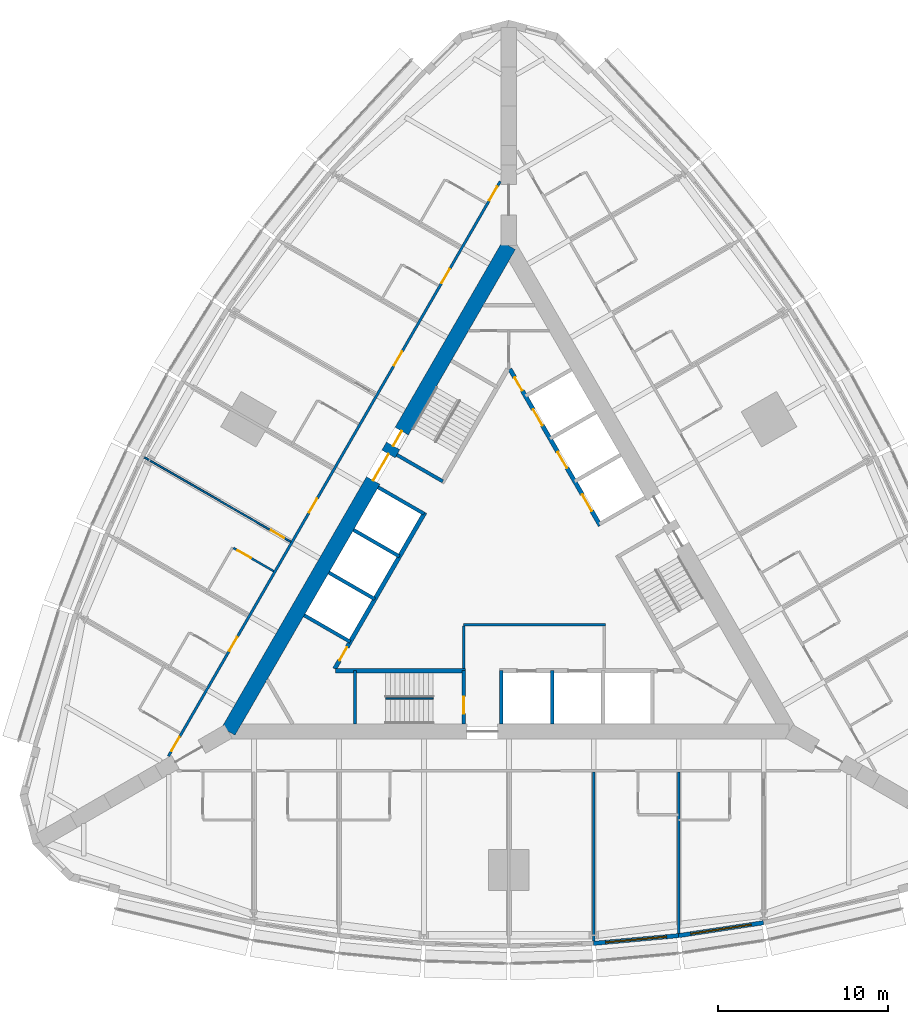
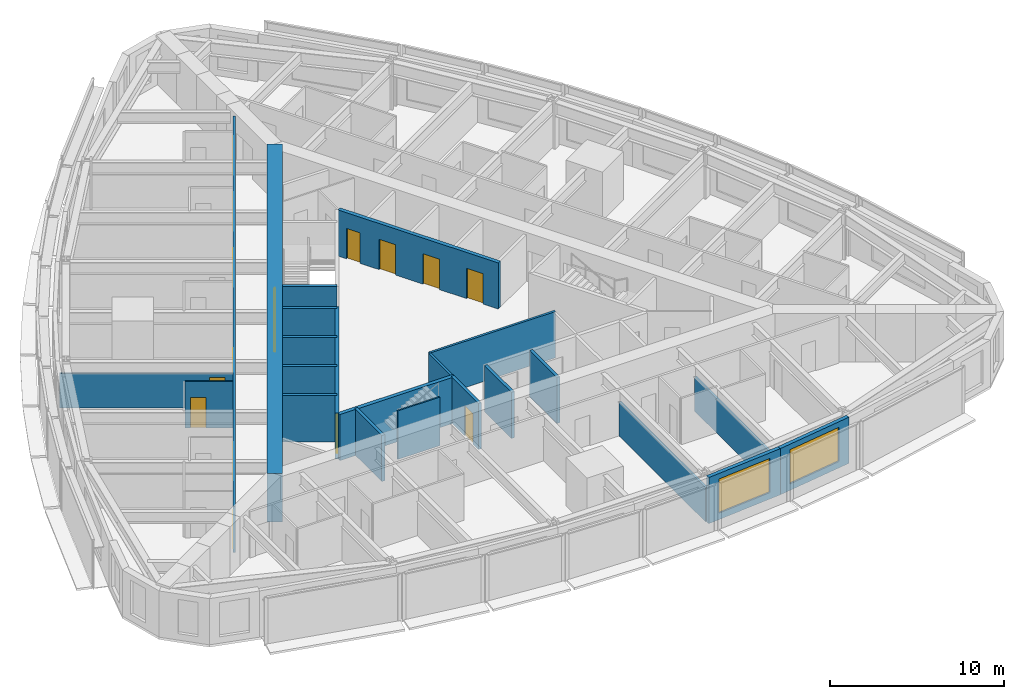
# One storey, part 9 of 14: 23 walls, 16 doors, 2 windows, 18 openings.
"""IFC4 building model written with IfcOpenShell, lengths in metres."""

from ifc_helpers import new_model, si_unit, direction, frame, frame_2d, origin, place, context, subcontext, project, spatial, rectangle, extrude, material, layer, layer_set, type_object, element, fill, save


model = new_model("IFC4")

# Units and contexts
model_context = context("Model", 3, precision=1e-05, world=origin(), true_north=direction((0.0, 1.0)))
body_context = subcontext(model_context, "Body", "Model", "MODEL_VIEW")
ifc_project = project(units=[si_unit("LENGTHUNIT", "METRE"), si_unit("AREAUNIT", "SQUARE_METRE"), si_unit("VOLUMEUNIT", "CUBIC_METRE"), si_unit("PLANEANGLEUNIT", "RADIAN"), si_unit("MASSUNIT", "GRAM", prefix="KILO")], contexts=[model_context])

# Site, building, storey
site_placement = place(None, origin())
site = spatial("IfcSite", under=ifc_project, at=site_placement, CompositionType="ELEMENT")
building_placement = place(site_placement, origin())
building = spatial("IfcBuilding", under=site, at=building_placement, Name="Trikona Tower", CompositionType="ELEMENT")
storey_placement = place(building_placement, frame((0.0, 0.0, 45.5)))
storey = spatial("IfcBuildingStorey", under=building, at=storey_placement, Name="L10", CompositionType="ELEMENT", Elevation=45.5)

# Wall, opening, door
ifc_material_1 = material(Name="Metal stud and cement board", Category="gypsum")
ifc_layer_1 = layer(ifc_material_1, 0.1201171875)
ifc_layer_set_1 = layer_set([ifc_layer_1], Name="Bathroom wall 120")
wall_type_1 = type_object("IfcWallType", Name="Bathroom wall 120", PredefinedType="PLUMBINGWALL", material=ifc_layer_set_1)
wall_1_placement = place(storey_placement, frame((-13.82861328125, -0.09912109375, 0.0), z_axis=(0.0, 0.0, 1.0), x_axis=(-0.865997131366, 0.500048966069, 0.0)))
wall_1 = element("IfcWall", 1, at=wall_1_placement, inside=storey, type_object=wall_type_1, Name="Bathroom wall 1016.1", PredefinedType="PLUMBINGWALL", context=body_context, shape_type="SweptSolid", body=[
    extrude(rectangle(XDim=2.739990234375, YDim=0.1201171875, at=frame_2d((1.3701171875, 0.0))), origin(), (0.0, 0.0, 1.0), 3.235107421875),
])
opening_1_placement = place(wall_1_placement, frame((1.550048828125, 0.0, 0.0)))
opening_1 = element("IfcOpeningElement", 2, at=opening_1_placement, cuts=wall_1, Name="Opening D2", PredefinedType="OPENING", context=body_context, shape_type="SweptSolid", body=[
    extrude(rectangle(XDim=0.89990234375, YDim=2.1298828125, at=frame_2d((0.449951171875, 1.06494140625))), frame((0.0, 0.070068359375, 0.0), z_axis=(0.0, -1.0, 0.0), x_axis=(1.0, 0.0, 0.0)), (0.0, 0.0, 1.0), 0.14013671875),
])
ifc_material_2 = material(Name="Steel door frame with solid-core timber leaf", Category="steel")
door_type_1 = type_object("IfcDoorType", Name="Bathroom door 900x2130", OperationType="SLIDING_TO_LEFT", PredefinedType="DOOR", material=ifc_material_2)
door_1_placement = place(opening_1_placement, origin())
door_1 = element("IfcDoor", 3, at=door_1_placement, inside=storey, type_object=door_type_1, Name="Bathroom door 1016.1", OperationType="SLIDING_TO_LEFT", OverallHeight=2.1298828125, OverallWidth=0.89990234375, PredefinedType="DOOR", context=body_context, shape_type="SweptSolid", body=[
    extrude(rectangle(XDim=0.89990234375, YDim=2.1298828125, at=frame_2d((0.449951171875, 1.06494140625))), frame((0.0, 0.02490234375, 0.0), z_axis=(0.0, -1.0, 0.0), x_axis=(1.0, 0.0, 0.0)), (0.0, 0.0, 1.0), 0.050048828125),
])
fill(opening_1, door_1)

# Wall, openings, doors
ifc_material_3 = material(Name="Concrete f'c 10000 psi", Category="concrete")
ifc_layer_2 = layer(ifc_material_3, 0.89990234375)
ifc_layer_set_2 = layer_set([ifc_layer_2], Name="Core wall 900")
wall_type_2 = type_object("IfcWallType", Name="Core wall 900", PredefinedType="SHEAR", material=ifc_layer_set_2)
wall_2_placement = place(storey_placement, frame((0.0, 19.052490234375, 0.0), z_axis=(0.0, 0.0, 1.0), x_axis=(-0.499999749417, -0.866025548458, 0.0)))
wall_2 = element("IfcWall", 4, at=wall_2_placement, inside=storey, type_object=wall_type_2, Name="Core wall C", PredefinedType="SHEAR", context=body_context, shape_type="SweptSolid", body=[
    extrude(rectangle(XDim=33.0, YDim=0.89990234375, at=frame_2d((16.5, 0.0))), origin(), (0.0, 0.0, 1.0), 3.39990234375),
])
opening_2_placement = place(wall_2_placement, frame((14.14990234375, 0.0, 0.0)))
opening_2 = element("IfcOpeningElement", 5, at=opening_2_placement, cuts=wall_2, Name="Opening D6", PredefinedType="OPENING", context=body_context, shape_type="SweptSolid", body=[
    extrude(rectangle(XDim=1.800048828125, YDim=2.1298828125, at=frame_2d((0.89990234375, 1.06494140625))), frame((0.0, 0.4599609375, 0.0), z_axis=(0.0, -1.0, 0.0), x_axis=(1.0, 0.0, 0.0)), (0.0, 0.0, 1.0), 0.919921875),
])
opening_3_placement = place(wall_2_placement, frame((12.60009765625, 0.0, 0.0)))
opening_3 = element("IfcOpeningElement", 6, at=opening_3_placement, cuts=wall_2, Name="Opening D5", PredefinedType="OPENING", context=body_context, shape_type="SweptSolid", body=[
    extrude(rectangle(XDim=1.0, YDim=2.1298828125, at=frame_2d((0.5, 1.06494140625))), frame((0.0, 0.4599609375, 0.0), z_axis=(0.0, -1.0, 0.0), x_axis=(1.0, 0.0, 0.0)), (0.0, 0.0, 1.0), 0.919921875),
])
ifc_material_4 = material(Name="Hollow metal door and frame", Category="steel")
door_type_2 = type_object("IfcDoorType", Name="Lobby door pair 1800x2130", OperationType="DOUBLE_DOOR_SINGLE_SWING", PredefinedType="DOOR", material=ifc_material_4)
door_2_placement = place(opening_2_placement, origin())
door_2 = element("IfcDoor", 7, at=door_2_placement, inside=storey, type_object=door_type_2, Name="Lift lobby door C", OperationType="DOUBLE_DOOR_SINGLE_SWING", OverallHeight=2.1298828125, OverallWidth=1.800048828125, PredefinedType="DOOR", context=body_context, shape_type="SweptSolid", body=[
    extrude(rectangle(XDim=1.800048828125, YDim=2.1298828125, at=frame_2d((0.89990234375, 1.06494140625))), frame((0.0, 0.02490234375, 0.0), z_axis=(0.0, -1.0, 0.0), x_axis=(1.0, 0.0, 0.0)), (0.0, 0.0, 1.0), 0.050048828125),
])
fill(opening_2, door_2)
ifc_material_5 = material(Name="Hollow metal door and frame", Category="steel")
door_type_3 = type_object("IfcDoorType", Name="Stair door 1000x2130", OperationType="SINGLE_SWING_LEFT", PredefinedType="DOOR", material=ifc_material_5)
door_3_placement = place(opening_3_placement, origin())
door_3 = element("IfcDoor", 8, at=door_3_placement, inside=storey, type_object=door_type_3, Name="Stair C door", OperationType="SINGLE_SWING_RIGHT", OverallHeight=2.1298828125, OverallWidth=1.0, PredefinedType="DOOR", context=body_context, shape_type="SweptSolid", body=[
    extrude(rectangle(XDim=1.0, YDim=2.1298828125, at=frame_2d((0.5, 1.06494140625))), frame((0.0, 0.02490234375, 0.0), z_axis=(0.0, -1.0, 0.0), x_axis=(1.0, 0.0, 0.0)), (0.0, 0.0, 1.0), 0.050048828125),
])
fill(opening_3, door_3)

ifc_material_6 = material(Name="Metal stud and gypsum board, 1-hour", Category="gypsum")
ifc_layer_3 = layer(ifc_material_6, 0.14990234375)
ifc_layer_set_3 = layer_set([ifc_layer_3], Name="Corridor wall 150")
wall_type_3 = type_object("IfcWallType", Name="Corridor wall 150", PredefinedType="PARTITIONING", material=ifc_layer_set_3)
wall_3_placement = place(storey_placement, frame((-0.5, 22.83642578125, 0.0), z_axis=(0.0, 0.0, 1.0), x_axis=(-0.500001677587, -0.866024435227, 0.0)))
wall_3 = element("IfcWall", 9, at=wall_3_placement, inside=storey, type_object=wall_type_3, Name="Corridor wall L10-3", PredefinedType="PARTITIONING", context=body_context, shape_type="SweptSolid", body=[
    extrude(rectangle(XDim=39.053955078125, YDim=0.14990234375, at=frame_2d((19.52685546875, 0.0))), origin(), (0.0, 0.0, 1.0), 3.235107421875),
])
opening_4_placement = place(wall_3_placement, frame((0.35205078125, 0.0, 0.0)))
opening_4 = element("IfcOpeningElement", 10, at=opening_4_placement, cuts=wall_3, Name="Opening D1", PredefinedType="OPENING", context=body_context, shape_type="SweptSolid", body=[
    extrude(rectangle(XDim=0.949951171875, YDim=2.1298828125, at=frame_2d((0.47509765625, 1.06494140625))), frame((0.0, 0.0849609375, 0.0), z_axis=(0.0, -1.0, 0.0), x_axis=(1.0, 0.0, 0.0)), (0.0, 0.0, 1.0), 0.169921875),
])
opening_5_placement = place(wall_3_placement, frame((5.951904296875, 0.0, 0.0)))
opening_5 = element("IfcOpeningElement", 11, at=opening_5_placement, cuts=wall_3, Name="Opening D1", PredefinedType="OPENING", context=body_context, shape_type="SweptSolid", body=[
    extrude(rectangle(XDim=0.949951171875, YDim=2.1298828125, at=frame_2d((0.47509765625, 1.06494140625))), frame((0.0, 0.0849609375, 0.0), z_axis=(0.0, -1.0, 0.0), x_axis=(1.0, 0.0, 0.0)), (0.0, 0.0, 1.0), 0.169921875),
])
opening_6_placement = place(wall_3_placement, frame((11.552001953125, 0.0, 0.0)))
opening_6 = element("IfcOpeningElement", 12, at=opening_6_placement, cuts=wall_3, Name="Opening D1", PredefinedType="OPENING", context=body_context, shape_type="SweptSolid", body=[
    extrude(rectangle(XDim=0.949951171875, YDim=2.1298828125, at=frame_2d((0.47509765625, 1.06494140625))), frame((0.0, 0.0849609375, 0.0), z_axis=(0.0, -1.0, 0.0), x_axis=(1.0, 0.0, 0.0)), (0.0, 0.0, 1.0), 0.169921875),
])
opening_7_placement = place(wall_3_placement, frame((21.552001953125, 0.0, 0.0)))
opening_7 = element("IfcOpeningElement", 13, at=opening_7_placement, cuts=wall_3, Name="Opening D1", PredefinedType="OPENING", context=body_context, shape_type="SweptSolid", body=[
    extrude(rectangle(XDim=0.949951171875, YDim=2.1298828125, at=frame_2d((0.47509765625, 1.06494140625))), frame((0.0, 0.0849609375, 0.0), z_axis=(0.0, -1.0, 0.0), x_axis=(1.0, 0.0, 0.0)), (0.0, 0.0, 1.0), 0.169921875),
])
opening_8_placement = place(wall_3_placement, frame((30.951904296875, 0.0, 0.0)))
opening_8 = element("IfcOpeningElement", 14, at=opening_8_placement, cuts=wall_3, Name="Opening D1", PredefinedType="OPENING", context=body_context, shape_type="SweptSolid", body=[
    extrude(rectangle(XDim=0.949951171875, YDim=2.1298828125, at=frame_2d((0.47509765625, 1.06494140625))), frame((0.0, 0.0849609375, 0.0), z_axis=(0.0, -1.0, 0.0), x_axis=(1.0, 0.0, 0.0)), (0.0, 0.0, 1.0), 0.169921875),
])
opening_9_placement = place(wall_3_placement, frame((37.751953125, 0.0, 0.0)))
opening_9 = element("IfcOpeningElement", 15, at=opening_9_placement, cuts=wall_3, Name="Opening D1", PredefinedType="OPENING", context=body_context, shape_type="SweptSolid", body=[
    extrude(rectangle(XDim=0.949951171875, YDim=2.1298828125, at=frame_2d((0.47509765625, 1.06494140625))), frame((0.0, 0.0849609375, 0.0), z_axis=(0.0, -1.0, 0.0), x_axis=(1.0, 0.0, 0.0)), (0.0, 0.0, 1.0), 0.169921875),
])
ifc_material_7 = material(Name="Steel door frame with solid-core timber leaf", Category="steel")
door_type_4 = type_object("IfcDoorType", Name="Guest room door 950x2130", OperationType="SINGLE_SWING_LEFT", PredefinedType="DOOR", material=ifc_material_7)
door_4_placement = place(opening_4_placement, origin())
door_4 = element("IfcDoor", 16, at=door_4_placement, inside=storey, type_object=door_type_4, Name="Room door 1013", OperationType="SINGLE_SWING_LEFT", OverallHeight=2.1298828125, OverallWidth=0.949951171875, PredefinedType="DOOR", context=body_context, shape_type="SweptSolid", body=[
    extrude(rectangle(XDim=0.949951171875, YDim=2.1298828125, at=frame_2d((0.47509765625, 1.06494140625))), frame((0.0, 0.02490234375, 0.0), z_axis=(0.0, -1.0, 0.0), x_axis=(1.0, 0.0, 0.0)), (0.0, 0.0, 1.0), 0.050048828125),
])
fill(opening_4, door_4)
door_5_placement = place(opening_5_placement, origin())
door_5 = element("IfcDoor", 17, at=door_5_placement, inside=storey, type_object=door_type_4, Name="Room door 1014", OperationType="SINGLE_SWING_RIGHT", OverallHeight=2.1298828125, OverallWidth=0.949951171875, PredefinedType="DOOR", context=body_context, shape_type="SweptSolid", body=[
    extrude(rectangle(XDim=0.949951171875, YDim=2.1298828125, at=frame_2d((0.47509765625, 1.06494140625))), frame((0.0, 0.02490234375, 0.0), z_axis=(0.0, -1.0, 0.0), x_axis=(1.0, 0.0, 0.0)), (0.0, 0.0, 1.0), 0.050048828125),
])
fill(opening_5, door_5)
door_6_placement = place(opening_6_placement, origin())
door_6 = element("IfcDoor", 18, at=door_6_placement, inside=storey, type_object=door_type_4, Name="Room door 1015", OperationType="SINGLE_SWING_LEFT", OverallHeight=2.1298828125, OverallWidth=0.949951171875, PredefinedType="DOOR", context=body_context, shape_type="SweptSolid", body=[
    extrude(rectangle(XDim=0.949951171875, YDim=2.1298828125, at=frame_2d((0.47509765625, 1.06494140625))), frame((0.0, 0.02490234375, 0.0), z_axis=(0.0, -1.0, 0.0), x_axis=(1.0, 0.0, 0.0)), (0.0, 0.0, 1.0), 0.050048828125),
])
fill(opening_6, door_6)
door_7_placement = place(opening_7_placement, origin())
door_7 = element("IfcDoor", 19, at=door_7_placement, inside=storey, type_object=door_type_4, Name="Room door 1016", OperationType="SINGLE_SWING_RIGHT", OverallHeight=2.1298828125, OverallWidth=0.949951171875, PredefinedType="DOOR", context=body_context, shape_type="SweptSolid", body=[
    extrude(rectangle(XDim=0.949951171875, YDim=2.1298828125, at=frame_2d((0.47509765625, 1.06494140625))), frame((0.0, 0.02490234375, 0.0), z_axis=(0.0, -1.0, 0.0), x_axis=(1.0, 0.0, 0.0)), (0.0, 0.0, 1.0), 0.050048828125),
])
fill(opening_7, door_7)
door_8_placement = place(opening_8_placement, origin())
door_8 = element("IfcDoor", 20, at=door_8_placement, inside=storey, type_object=door_type_4, Name="Room door 1017", OperationType="SINGLE_SWING_LEFT", OverallHeight=2.1298828125, OverallWidth=0.949951171875, PredefinedType="DOOR", context=body_context, shape_type="SweptSolid", body=[
    extrude(rectangle(XDim=0.949951171875, YDim=2.1298828125, at=frame_2d((0.47509765625, 1.06494140625))), frame((0.0, 0.02490234375, 0.0), z_axis=(0.0, -1.0, 0.0), x_axis=(1.0, 0.0, 0.0)), (0.0, 0.0, 1.0), 0.050048828125),
])
fill(opening_8, door_8)
door_9_placement = place(opening_9_placement, origin())
door_9 = element("IfcDoor", 21, at=door_9_placement, inside=storey, type_object=door_type_4, Name="Room door 1018", OperationType="SINGLE_SWING_RIGHT", OverallHeight=2.1298828125, OverallWidth=0.949951171875, PredefinedType="DOOR", context=body_context, shape_type="SweptSolid", body=[
    extrude(rectangle(XDim=0.949951171875, YDim=2.1298828125, at=frame_2d((0.47509765625, 1.06494140625))), frame((0.0, 0.02490234375, 0.0), z_axis=(0.0, -1.0, 0.0), x_axis=(1.0, 0.0, 0.0)), (0.0, 0.0, 1.0), 0.050048828125),
])
fill(opening_9, door_9)

# Wall
ifc_material_8 = material(Name="Concrete f'c 8000 psi", Category="concrete")
ifc_layer_4 = layer(ifc_material_8, 0.25)
ifc_layer_set_4 = layer_set([ifc_layer_4], Name="Hub wall 250")
wall_type_4 = type_object("IfcWallType", Name="Hub wall 250", PredefinedType="SOLIDWALL", material=ifc_layer_set_4)
wall_4_placement = place(storey_placement, frame((-10.182861328125, -5.951416015625, 0.0), z_axis=(0.0, 0.0, 1.0), x_axis=(1.0, 0.0, 0.0)))
element("IfcWall", 22, at=wall_4_placement, inside=storey, type_object=wall_type_4, Name="Lift lobby wall A1", PredefinedType="SOLIDWALL", context=body_context, shape_type="SweptSolid", body=[
    extrude(rectangle(XDim=7.6328125, YDim=0.25, at=frame_2d((3.81640625, 0.0))), origin(), (0.0, 0.0, 1.0), 3.235107421875),
])

# Wall, openings, doors
wall_5_placement = place(storey_placement, frame((5.37890625, 2.5859375, 0.0), z_axis=(0.0, 0.0, 1.0), x_axis=(-0.500001375892, 0.866024609411, 0.0)))
wall_5 = element("IfcWall", 23, at=wall_5_placement, inside=storey, type_object=wall_type_4, Name="Lift lobby wall B2", PredefinedType="SOLIDWALL", context=body_context, shape_type="SweptSolid", body=[
    extrude(rectangle(XDim=10.6328125, YDim=0.25, at=frame_2d((5.31640625, 0.0))), origin(), (0.0, 0.0, 1.0), 3.235107421875),
])
opening_10_placement = place(wall_5_placement, frame((9.1640625, 0.0, 0.0)))
opening_10 = element("IfcOpeningElement", 24, at=opening_10_placement, cuts=wall_5, Name="Opening D14", PredefinedType="OPENING", context=body_context, shape_type="SweptSolid", body=[
    extrude(rectangle(XDim=0.89990234375, YDim=2.1298828125, at=frame_2d((0.449951171875, 1.06494140625))), frame((0.0, 0.135009765625, 0.0), z_axis=(0.0, -1.0, 0.0), x_axis=(1.0, 0.0, 0.0)), (0.0, 0.0, 1.0), 0.27001953125),
])
opening_11_placement = place(wall_5_placement, frame((1.0, 0.0, 0.0)))
opening_11 = element("IfcOpeningElement", 25, at=opening_11_placement, cuts=wall_5, Name="Opening LD", PredefinedType="OPENING", context=body_context, shape_type="SweptSolid", body=[
    extrude(rectangle(XDim=1.10009765625, YDim=2.1298828125, at=frame_2d((0.550048828125, 1.06494140625))), frame((0.0, 0.135009765625, 0.0), z_axis=(0.0, -1.0, 0.0), x_axis=(1.0, 0.0, 0.0)), (0.0, 0.0, 1.0), 0.27001953125),
])
opening_12_placement = place(wall_5_placement, frame((3.89990234375, 0.0, 0.0)))
opening_12 = element("IfcOpeningElement", 26, at=opening_12_placement, cuts=wall_5, Name="Opening LD", PredefinedType="OPENING", context=body_context, shape_type="SweptSolid", body=[
    extrude(rectangle(XDim=1.10009765625, YDim=2.1298828125, at=frame_2d((0.550048828125, 1.06494140625))), frame((0.0, 0.135009765625, 0.0), z_axis=(0.0, -1.0, 0.0), x_axis=(1.0, 0.0, 0.0)), (0.0, 0.0, 1.0), 0.27001953125),
])
opening_13_placement = place(wall_5_placement, frame((6.800048828125, 0.0, 0.0)))
opening_13 = element("IfcOpeningElement", 27, at=opening_13_placement, cuts=wall_5, Name="Opening LD", PredefinedType="OPENING", context=body_context, shape_type="SweptSolid", body=[
    extrude(rectangle(XDim=1.10009765625, YDim=2.1298828125, at=frame_2d((0.550048828125, 1.06494140625))), frame((0.0, 0.135009765625, 0.0), z_axis=(0.0, -1.0, 0.0), x_axis=(1.0, 0.0, 0.0)), (0.0, 0.0, 1.0), 0.27001953125),
])
ifc_material_9 = material(Name="Stainless steel lift landing door", Category="steel")
door_type_5 = type_object("IfcDoorType", Name="Lift landing door 1100x2130", OperationType="DOUBLE_DOOR_SLIDING", PredefinedType="USERDEFINED", material=ifc_material_9)
door_10_placement = place(opening_11_placement, origin())
door_10 = element("IfcDoor", 28, at=door_10_placement, inside=storey, type_object=door_type_5, Name="Lift landing door L1-1", ObjectType="LIFT LANDING DOOR", OperationType="DOUBLE_DOOR_SLIDING", OverallHeight=2.1298828125, OverallWidth=1.10009765625, PredefinedType="USERDEFINED", context=body_context, shape_type="SweptSolid", body=[
    extrude(rectangle(XDim=1.10009765625, YDim=2.1298828125, at=frame_2d((0.550048828125, 1.06494140625))), frame((0.0, 0.02490234375, 0.0), z_axis=(0.0, -1.0, 0.0), x_axis=(1.0, 0.0, 0.0)), (0.0, 0.0, 1.0), 0.050048828125),
])
fill(opening_11, door_10)
door_11_placement = place(opening_12_placement, origin())
door_11 = element("IfcDoor", 29, at=door_11_placement, inside=storey, type_object=door_type_5, Name="Lift landing door L1-2", ObjectType="LIFT LANDING DOOR", OperationType="DOUBLE_DOOR_SLIDING", OverallHeight=2.1298828125, OverallWidth=1.10009765625, PredefinedType="USERDEFINED", context=body_context, shape_type="SweptSolid", body=[
    extrude(rectangle(XDim=1.10009765625, YDim=2.1298828125, at=frame_2d((0.550048828125, 1.06494140625))), frame((0.0, 0.02490234375, 0.0), z_axis=(0.0, -1.0, 0.0), x_axis=(1.0, 0.0, 0.0)), (0.0, 0.0, 1.0), 0.050048828125),
])
fill(opening_12, door_11)
door_12_placement = place(opening_13_placement, origin())
door_12 = element("IfcDoor", 30, at=door_12_placement, inside=storey, type_object=door_type_5, Name="Lift landing door L1-3", ObjectType="LIFT LANDING DOOR", OperationType="DOUBLE_DOOR_SLIDING", OverallHeight=2.1298828125, OverallWidth=1.10009765625, PredefinedType="USERDEFINED", context=body_context, shape_type="SweptSolid", body=[
    extrude(rectangle(XDim=1.10009765625, YDim=2.1298828125, at=frame_2d((0.550048828125, 1.06494140625))), frame((0.0, 0.02490234375, 0.0), z_axis=(0.0, -1.0, 0.0), x_axis=(1.0, 0.0, 0.0)), (0.0, 0.0, 1.0), 0.050048828125),
])
fill(opening_13, door_12)
ifc_material_10 = material(Name="Hollow metal door and frame", Category="steel")
door_type_6 = type_object("IfcDoorType", Name="Service room door 900x2130", OperationType="SINGLE_SWING_LEFT", PredefinedType="DOOR", material=ifc_material_10)
door_13_placement = place(opening_10_placement, origin())
door_13 = element("IfcDoor", 31, at=door_13_placement, inside=storey, type_object=door_type_6, Name="Door Ice and vending ICE", OperationType="SINGLE_SWING_RIGHT", OverallHeight=2.1298828125, OverallWidth=0.89990234375, PredefinedType="DOOR", context=body_context, shape_type="SweptSolid", body=[
    extrude(rectangle(XDim=0.89990234375, YDim=2.1298828125, at=frame_2d((0.449951171875, 1.06494140625))), frame((0.0, 0.02490234375, 0.0), z_axis=(0.0, -1.0, 0.0), x_axis=(1.0, 0.0, 0.0)), (0.0, 0.0, 1.0), 0.050048828125),
])
fill(opening_10, door_13)

# Wall, opening, door
wall_6_placement = place(storey_placement, frame((-4.928955078125, 3.365478515625, 0.0), z_axis=(0.0, 0.0, 1.0), x_axis=(-0.499991433582, -0.866030349552, 0.0)))
wall_6 = element("IfcWall", 32, at=wall_6_placement, inside=storey, type_object=wall_type_4, Name="Lift lobby wall C2", PredefinedType="SOLIDWALL", context=body_context, shape_type="SweptSolid", body=[
    extrude(rectangle(XDim=10.633056640625, YDim=0.25, at=frame_2d((5.31640625, 0.0))), origin(), (0.0, 0.0, 1.0), 3.235107421875),
])
opening_14_placement = place(wall_6_placement, frame((9.1640625, 0.0, 0.0)))
opening_14 = element("IfcOpeningElement", 33, at=opening_14_placement, cuts=wall_6, Name="Opening D14", PredefinedType="OPENING", context=body_context, shape_type="SweptSolid", body=[
    extrude(rectangle(XDim=0.89990234375, YDim=2.1298828125, at=frame_2d((0.449951171875, 1.06494140625))), frame((0.0, 0.135009765625, 0.0), z_axis=(0.0, -1.0, 0.0), x_axis=(1.0, 0.0, 0.0)), (0.0, 0.0, 1.0), 0.27001953125),
])
door_14_placement = place(opening_14_placement, origin())
door_14 = element("IfcDoor", 34, at=door_14_placement, inside=storey, type_object=door_type_6, Name="Door Linen store LIN", OperationType="SINGLE_SWING_RIGHT", OverallHeight=2.1298828125, OverallWidth=0.89990234375, PredefinedType="DOOR", context=body_context, shape_type="SweptSolid", body=[
    extrude(rectangle(XDim=0.89990234375, YDim=2.1298828125, at=frame_2d((0.449951171875, 1.06494140625))), frame((0.0, 0.02490234375, 0.0), z_axis=(0.0, -1.0, 0.0), x_axis=(1.0, 0.0, 0.0)), (0.0, 0.0, 1.0), 0.050048828125),
])
fill(opening_14, door_14)

# Wall, opening, window
ifc_material_11 = material(Name="Insulated precast concrete spandrel panel", Category="concrete")
ifc_layer_5 = layer(ifc_material_11, 0.25)
ifc_layer_set_5 = layer_set([ifc_layer_5], Name="Inner skin wall 250")
wall_type_5 = type_object("IfcWallType", Name="Inner skin wall 250", PredefinedType="STANDARD", material=ifc_layer_set_5)
wall_7_placement = place(storey_placement, frame((4.988525390625, -21.995849609375, 0.0), z_axis=(0.0, 0.0, 1.0), x_axis=(0.995857256774, 0.090930325692, 0.0)))
wall_7 = element("IfcWall", 35, at=wall_7_placement, inside=storey, type_object=wall_type_5, Name="External wall L10-05", PredefinedType="STANDARD", context=body_context, shape_type="SweptSolid", body=[
    extrude(rectangle(XDim=5.020751953125, YDim=0.25, at=frame_2d((2.51025390625, 0.0))), origin(), (0.0, 0.0, 1.0), 3.235107421875),
])
opening_15_placement = place(wall_7_placement, frame((0.71044921875, 0.0, 0.449951171875)))
opening_15 = element("IfcOpeningElement", 36, at=opening_15_placement, cuts=wall_7, Name="Opening W3624", PredefinedType="OPENING", context=body_context, shape_type="SweptSolid", body=[
    extrude(rectangle(XDim=3.60009765625, YDim=2.39990234375, at=frame_2d((1.800048828125, 1.199951171875))), frame((0.0, 0.135009765625, 0.0), z_axis=(0.0, -1.0, 0.0), x_axis=(1.0, 0.0, 0.0)), (0.0, 0.0, 1.0), 0.27001953125),
])
ifc_material_12 = material(Name="Aluminium-framed double glazing", Category="aluminium")
window_type = type_object("IfcWindowType", Name="Window 3600x2400", PartitioningType="SINGLE_PANEL", PredefinedType="WINDOW", material=ifc_material_12)
window_1_placement = place(opening_15_placement, origin())
window_1 = element("IfcWindow", 37, at=window_1_placement, inside=storey, type_object=window_type, Name="Window 1004", OverallHeight=2.39990234375, OverallWidth=3.60009765625, PartitioningType="SINGLE_PANEL", PredefinedType="WINDOW", context=body_context, shape_type="SweptSolid", body=[
    extrude(rectangle(XDim=3.60009765625, YDim=2.39990234375, at=frame_2d((1.800048828125, 1.199951171875))), frame((0.0, 0.030029296875, 0.0), z_axis=(0.0, -1.0, 0.0), x_axis=(1.0, 0.0, 0.0)), (0.0, 0.0, 1.0), 0.06005859375),
])
fill(opening_15, window_1)

wall_8_placement = place(storey_placement, frame((9.981201171875, -21.540283203125, 0.0), z_axis=(0.0, 0.0, 1.0), x_axis=(0.988615403399, 0.150464561152, 0.0)))
wall_8 = element("IfcWall", 38, at=wall_8_placement, inside=storey, type_object=wall_type_5, Name="External wall L10-06", PredefinedType="STANDARD", context=body_context, shape_type="SweptSolid", body=[
    extrude(rectangle(XDim=5.0576171875, YDim=0.25, at=frame_2d((2.52880859375, 0.0))), origin(), (0.0, 0.0, 1.0), 3.235107421875),
])
opening_16_placement = place(wall_8_placement, frame((0.728759765625, 0.0, 0.449951171875)))
opening_16 = element("IfcOpeningElement", 39, at=opening_16_placement, cuts=wall_8, Name="Opening W3624", PredefinedType="OPENING", context=body_context, shape_type="SweptSolid", body=[
    extrude(rectangle(XDim=3.60009765625, YDim=2.39990234375, at=frame_2d((1.800048828125, 1.199951171875))), frame((0.0, 0.135009765625, 0.0), z_axis=(0.0, -1.0, 0.0), x_axis=(1.0, 0.0, 0.0)), (0.0, 0.0, 1.0), 0.27001953125),
])
window_2_placement = place(opening_16_placement, origin())
window_2 = element("IfcWindow", 40, at=window_2_placement, inside=storey, type_object=window_type, Name="Window 1005.1", OverallHeight=2.39990234375, OverallWidth=3.60009765625, PartitioningType="SINGLE_PANEL", PredefinedType="WINDOW", context=body_context, shape_type="SweptSolid", body=[
    extrude(rectangle(XDim=3.60009765625, YDim=2.39990234375, at=frame_2d((1.800048828125, 1.199951171875))), frame((0.0, 0.030029296875, 0.0), z_axis=(0.0, -1.0, 0.0), x_axis=(1.0, 0.0, 0.0)), (0.0, 0.0, 1.0), 0.06005859375),
])
fill(opening_16, window_2)

# Walls
ifc_material_13 = material(Name="Metal stud and gypsum board, 2-hour shaft wall", Category="gypsum")
ifc_layer_6 = layer(ifc_material_13, 0.14990234375)
ifc_layer_set_6 = layer_set([ifc_layer_6], Name="Lobby wall 150")
wall_type_6 = type_object("IfcWallType", Name="Lobby wall 150", PredefinedType="PARTITIONING", material=ifc_layer_set_6)
wall_9_placement = place(storey_placement, frame((-2.64990234375, -3.251220703125, 0.0), z_axis=(0.0, 0.0, 1.0), x_axis=(1.0, 0.0, 0.0)))
element("IfcWall", 41, at=wall_9_placement, inside=storey, type_object=wall_type_6, Name="Fire service lift lobby wall 1", PredefinedType="PARTITIONING", context=body_context, shape_type="SweptSolid", body=[
    extrude(rectangle(XDim=8.349853515625, YDim=0.14990234375, at=frame_2d((4.1748046875, 0.0))), origin(), (0.0, 0.0, 1.0), 3.235107421875),
])
wall_10_placement = place(storey_placement, frame((-2.64990234375, -5.826416015625, 0.0), z_axis=(0.0, 0.0, 1.0), x_axis=(0.0, 1.0, 0.0)))
element("IfcWall", 42, at=wall_10_placement, inside=storey, type_object=wall_type_6, Name="Fire service lift lobby wall 2", PredefinedType="PARTITIONING", context=body_context, shape_type="SweptSolid", body=[
    extrude(rectangle(XDim=2.5, YDim=0.14990234375, at=frame_2d((1.25, 0.0))), origin(), (0.0, 0.0, 1.0), 3.235107421875),
])
ifc_material_14 = material(Name="Metal stud and gypsum board, 1-hour acoustic", Category="gypsum")
ifc_layer_7 = layer(ifc_material_14, 0.14990234375)
ifc_layer_set_7 = layer_set([ifc_layer_7], Name="Party wall 150")
wall_type_7 = type_object("IfcWallType", Name="Party wall 150", PredefinedType="PARTITIONING", material=ifc_layer_set_7)
wall_11_placement = place(storey_placement, frame((5.0, -11.92626953125, 0.0), z_axis=(0.0, 0.0, 1.0), x_axis=(0.0, -1.0, 0.0)))
element("IfcWall", 43, at=wall_11_placement, inside=storey, type_object=wall_type_7, Name="Partition L10 F1 u5", PredefinedType="PARTITIONING", context=body_context, shape_type="SweptSolid", body=[
    extrude(rectangle(XDim=9.943115234375, YDim=0.14990234375, at=frame_2d((4.9716796875, 0.0))), origin(), (0.0, 0.0, 1.0), 2.38916015625),
])
wall_12_placement = place(storey_placement, frame((10.0, -11.92626953125, 0.0), z_axis=(0.0, 0.0, 1.0), x_axis=(0.0, -1.0, 0.0)))
element("IfcWall", 44, at=wall_12_placement, inside=storey, type_object=wall_type_7, Name="Partition L10 F1 u10", PredefinedType="PARTITIONING", context=body_context, shape_type="SweptSolid", body=[
    extrude(rectangle(XDim=9.484619140625, YDim=0.14990234375, at=frame_2d((4.7421875, 0.0))), origin(), (0.0, 0.0, 1.0), 2.38916015625),
])
ifc_material_15 = material(Name="Concrete f'c 8000 psi", Category="concrete")
ifc_layer_8 = layer(ifc_material_15, 0.199951171875)
ifc_layer_set_8 = layer_set([ifc_layer_8], Name="Shaft wall 200")
wall_type_8 = type_object("IfcWallType", Name="Shaft wall 200", PredefinedType="SOLIDWALL", material=ifc_layer_set_8)
for number, where, z_axis, x_axis, name in (
    (45, (-0.449951171875, -5.951416015625, 0.0), (0.0, 0.0, 1.0), (0.0, -1.0, 0.0), "Shaft wall A3"),
    (46, (2.550048828125, -5.951416015625, 0.0), (0.0, 0.0, 1.0), (0.0, -1.0, 0.0), "Shaft wall A4"),
    (47, (-4.97900390625, 3.27880859375, 0.0), (0.0, 0.0, 1.0), (-0.866022959057, 0.500004234368, 0.0), "Shaft wall C3"),
    (48, (-6.428955078125, 0.767333984375, 0.0), (0.0, 0.0, 1.0), (-0.866022959057, 0.500004234368, 0.0), "Shaft wall C4"),
    (49, (-7.87890625, -1.744140625, 0.0), (0.0, 0.0, 1.0), (-0.866022959057, 0.500004234368, 0.0), "Shaft wall C5"),
    (50, (-9.3291015625, -4.255615234375, 0.0), (0.0, 0.0, 1.0), (-0.866022959057, 0.500004234368, 0.0), "Shaft wall C6"),
):
    element("IfcWall", number, at=place(storey_placement, frame(where, z_axis=z_axis, x_axis=x_axis)), inside=storey, type_object=wall_type_8, Name=name, PredefinedType="SOLIDWALL", context=body_context, shape_type="SweptSolid", body=[
        extrude(rectangle(XDim=3.125, YDim=0.199951171875, at=frame_2d((1.5625, 0.0))), origin(), (0.0, 0.0, 1.0), 3.235107421875),
    ])
ifc_material_16 = material(Name="Concrete f'c 8000 psi", Category="concrete")
ifc_layer_9 = layer(ifc_material_16, 0.199951171875)
ifc_layer_set_9 = layer_set([ifc_layer_9], Name="Shaft wall 200 load-bearing")
wall_type_9 = type_object("IfcWallType", Name="Shaft wall 200 load-bearing", PredefinedType="SOLIDWALL", material=ifc_layer_set_9)
wall_13_placement = place(storey_placement, frame((-9.050048828125, -5.951416015625, 0.0), z_axis=(0.0, 0.0, 1.0), x_axis=(0.0, -1.0, 0.0)))
element("IfcWall", 51, at=wall_13_placement, inside=storey, type_object=wall_type_9, Name="Shaft wall A1", PredefinedType="SOLIDWALL", context=body_context, shape_type="SweptSolid", body=[
    extrude(rectangle(XDim=3.125, YDim=0.199951171875, at=frame_2d((1.5625, 0.0))), origin(), (0.0, 0.0, 1.0), 3.235107421875),
])

# Wall, opening, door
wall_14_placement = place(storey_placement, frame((-2.64990234375, -5.951416015625, 0.0), z_axis=(0.0, 0.0, 1.0), x_axis=(0.0, -1.0, 0.0)))
wall_14 = element("IfcWall", 52, at=wall_14_placement, inside=storey, type_object=wall_type_9, Name="Shaft wall A2", PredefinedType="SOLIDWALL", context=body_context, shape_type="SweptSolid", body=[
    extrude(rectangle(XDim=3.125, YDim=0.199951171875, at=frame_2d((1.5625, 0.0))), origin(), (0.0, 0.0, 1.0), 3.235107421875),
])
opening_17_placement = place(wall_14_placement, frame((1.52490234375, 0.0, 0.0)))
opening_17 = element("IfcOpeningElement", 53, at=opening_17_placement, cuts=wall_14, Name="Opening D5", PredefinedType="OPENING", context=body_context, shape_type="SweptSolid", body=[
    extrude(rectangle(XDim=1.0, YDim=2.1298828125, at=frame_2d((0.5, 1.06494140625))), frame((0.0, 0.10986328125, 0.0), z_axis=(0.0, -1.0, 0.0), x_axis=(1.0, 0.0, 0.0)), (0.0, 0.0, 1.0), 0.219970703125),
])
door_15_placement = place(opening_17_placement, origin())
door_15 = element("IfcDoor", 54, at=door_15_placement, inside=storey, type_object=door_type_3, Name="Stair A door", OperationType="SINGLE_SWING_RIGHT", OverallHeight=2.1298828125, OverallWidth=1.0, PredefinedType="DOOR", context=body_context, shape_type="SweptSolid", body=[
    extrude(rectangle(XDim=1.0, YDim=2.1298828125, at=frame_2d((0.5, 1.06494140625))), frame((0.0, 0.02490234375, 0.0), z_axis=(0.0, -1.0, 0.0), x_axis=(1.0, 0.0, 0.0)), (0.0, 0.0, 1.0), 0.050048828125),
])
fill(opening_17, door_15)

# Walls
wall_15_placement = place(storey_placement, frame((-3.87890625, 5.18408203125, 0.0), z_axis=(0.0, 0.0, 1.0), x_axis=(-0.866022959057, 0.500004234368, 0.0)))
element("IfcWall", 55, at=wall_15_placement, inside=storey, type_object=wall_type_9, Name="Shaft wall C2", PredefinedType="SOLIDWALL", context=body_context, shape_type="SweptSolid", body=[
    extrude(rectangle(XDim=3.125, YDim=0.199951171875, at=frame_2d((1.5625, 0.0))), origin(), (0.0, 0.0, 1.0), 3.235107421875),
])
ifc_material_17 = material(Name="Concrete f'c 5000 psi", Category="concrete")
ifc_layer_10 = layer(ifc_material_17, 0.10009765625)
ifc_layer_set_10 = layer_set([ifc_layer_10], Name="Stair spine wall 100")
wall_type_10 = type_object("IfcWallType", Name="Stair spine wall 100", PredefinedType="SOLIDWALL", material=ifc_layer_set_10)
wall_16_placement = place(storey_placement, frame((-7.2470703125, -7.576416015625, 0.0), z_axis=(0.0, 0.0, 1.0), x_axis=(1.0, 0.0, 0.0)))
element("IfcWall", 56, at=wall_16_placement, inside=storey, type_object=wall_type_10, Name="Stair A spine wall L10", PredefinedType="SOLIDWALL", context=body_context, shape_type="SweptSolid", body=[
    extrude(rectangle(XDim=2.794189453125, YDim=0.10009765625, at=frame_2d((1.39697265625, 0.0))), origin(), (0.0, 0.0, 1.0), 3.39990234375),
])

# Wall, opening, door
ifc_material_18 = material(Name="Metal stud and gypsum board, acoustic", Category="gypsum")
ifc_layer_11 = layer(ifc_material_18, 0.10009765625)
ifc_layer_set_11 = layer_set([ifc_layer_11], Name="Suite partition 100")
wall_type_11 = type_object("IfcWallType", Name="Suite partition 100", PredefinedType="PARTITIONING", material=ifc_layer_set_11)
wall_17_placement = place(storey_placement, frame((-12.82861328125, 1.633056640625, 0.0), z_axis=(0.0, 0.0, 1.0), x_axis=(-0.866026934769, 0.499997348248, 0.0)))
wall_17 = element("IfcWall", 57, at=wall_17_placement, inside=storey, type_object=wall_type_11, Name="Suite partition L10 F3 u5", PredefinedType="PARTITIONING", context=body_context, shape_type="SweptSolid", body=[
    extrude(rectangle(XDim=9.94287109375, YDim=0.10009765625, at=frame_2d((4.971435546875, 0.0))), origin(), (0.0, 0.0, 1.0), 2.38916015625),
])
opening_18_placement = place(wall_17_placement, frame((0.449951171875, 0.0, 0.0)))
opening_18 = element("IfcOpeningElement", 58, at=opening_18_placement, cuts=wall_17, Name="Opening D13", PredefinedType="OPENING", context=body_context, shape_type="SweptSolid", body=[
    extrude(rectangle(XDim=0.89990234375, YDim=2.1298828125, at=frame_2d((0.449951171875, 1.06494140625))), frame((0.0, 0.06005859375, 0.0), z_axis=(0.0, -1.0, 0.0), x_axis=(1.0, 0.0, 0.0)), (0.0, 0.0, 1.0), 0.1201171875),
])
ifc_material_19 = material(Name="Steel door frame with solid-core timber leaf", Category="steel")
door_type_7 = type_object("IfcDoorType", Name="Suite door 900x2130", OperationType="SINGLE_SWING_LEFT", PredefinedType="DOOR", material=ifc_material_19)
door_16_placement = place(opening_18_placement, origin())
door_16 = element("IfcDoor", 59, at=door_16_placement, inside=storey, type_object=door_type_7, Name="Suite door 1016", OperationType="SINGLE_SWING_LEFT", OverallHeight=2.1298828125, OverallWidth=0.89990234375, PredefinedType="DOOR", context=body_context, shape_type="SweptSolid", body=[
    extrude(rectangle(XDim=0.89990234375, YDim=2.1298828125, at=frame_2d((0.449951171875, 1.06494140625))), frame((0.0, 0.02490234375, 0.0), z_axis=(0.0, -1.0, 0.0), x_axis=(1.0, 0.0, 0.0)), (0.0, 0.0, 1.0), 0.050048828125),
])
fill(opening_18, door_16)

save(model, "model.ifc")
